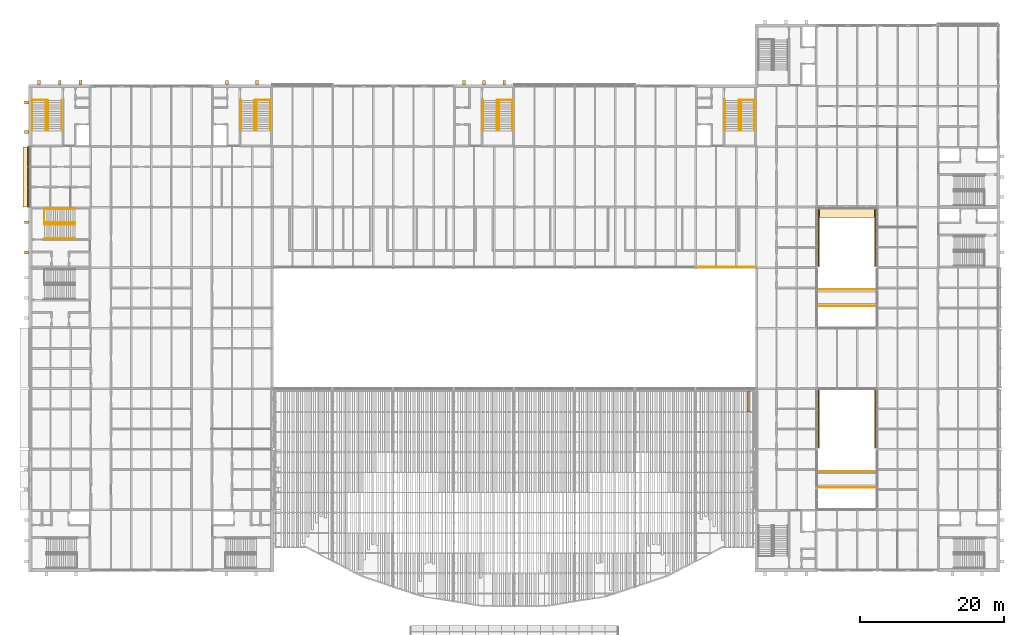
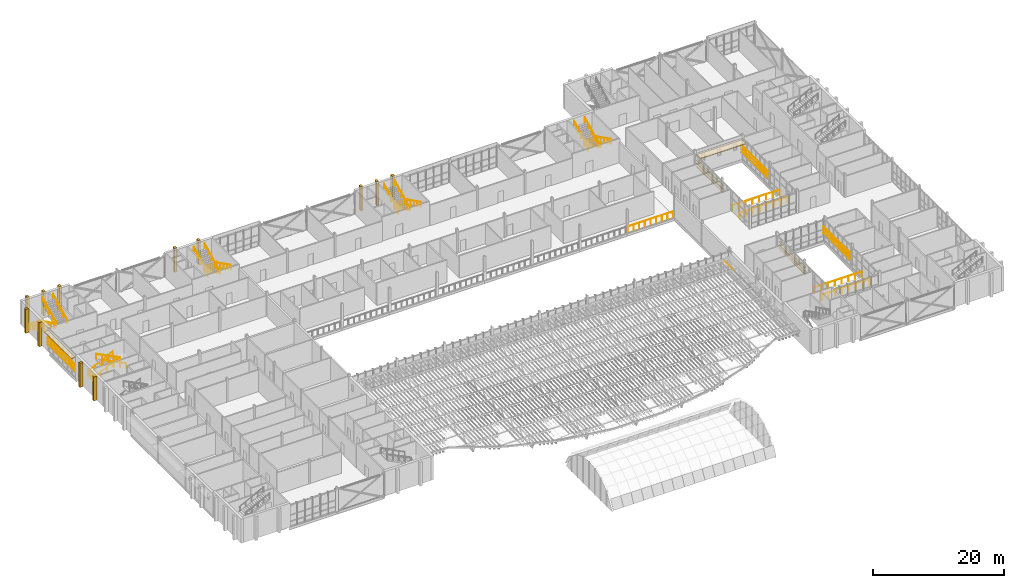
# One storey, part 126 of 129: 30 coverings, 30 railings.
"""IFC4 building model written with IfcOpenShell, lengths in metres."""

from ifc_helpers import new_model, si_unit, direction, frame, origin, origin_2d, place, context, subcontext, project, spatial, polyline, rectangle, circle, outline, extrude, material, layer, layer_set, material_profile, profile_set, type_object, element, save


model = new_model("IFC4")

# Units and contexts
model_context = context("Model", 3, precision=1e-05, world=origin(), true_north=direction((0.0, 1.0)))
body_context = subcontext(model_context, "Body", "Model", "MODEL_VIEW")
ifc_project = project(units=[si_unit("LENGTHUNIT", "METRE"), si_unit("AREAUNIT", "SQUARE_METRE"), si_unit("VOLUMEUNIT", "CUBIC_METRE"), si_unit("PLANEANGLEUNIT", "RADIAN"), si_unit("MASSUNIT", "GRAM", prefix="KILO")], contexts=[model_context])

# Site, building, storey
site_placement = place(None, origin())
site = spatial("IfcSite", under=ifc_project, at=site_placement, CompositionType="ELEMENT")
building_placement = place(site_placement, origin())
building = spatial("IfcBuilding", under=site, at=building_placement, Name="Ardhachandra Cancer Care Centre", CompositionType="ELEMENT")
storey_placement = place(building_placement, frame((0.0, 0.0, 4.5)))
storey = spatial("IfcBuildingStorey", under=building, at=storey_placement, Name="L01", CompositionType="ELEMENT", Elevation=4.5)

# Railings
ifc_material_1 = material(Name="Steel E250 (IS 2062)", Category="steel")
railing_type_1 = type_object("IfcRailingType", Name="Bridge balustrade 1100", PredefinedType="GUARDRAIL", material=ifc_material_1)
for number, where, name in (
    (1, (120.0, 40.860107421875, 0.0), "Bridge balustrade BR-LC1-L01 south"),
    (2, (120.0, 43.139892578125, 0.0), "Bridge balustrade BR-LC1-L01 north"),
    (3, (120.0, 66.06005859375, 0.0), "Bridge balustrade BR-LC2-L01 south"),
    (4, (120.0, 68.340087890625, 0.0), "Bridge balustrade BR-LC2-L01 north"),
):
    element("IfcRailing", number, at=place(storey_placement, frame(where)), inside=storey, type_object=railing_type_1, Name=name, PredefinedType="GUARDRAIL", context=body_context, shape_type="SweptSolid", body=[
        extrude(circle(Radius=0.02392578125, at=origin_2d()), frame((0.0, 0.0, 1.076171875), z_axis=(1.0, 0.0, 0.0), x_axis=(0.0, 1.0, 0.0)), (0.0, 0.0, 1.0), 8.39990234375),
        extrude(circle(Radius=0.02099609375, at=origin_2d()), origin(), (0.0, 0.0, 1.0), 1.052001953125),
        extrude(circle(Radius=0.02099609375, at=origin_2d()), frame((1.199951171875, 0.0, 0.0)), (0.0, 0.0, 1.0), 1.052001953125),
        extrude(circle(Radius=0.02099609375, at=origin_2d()), frame((2.39990234375, 0.0, 0.0)), (0.0, 0.0, 1.0), 1.052001953125),
        extrude(circle(Radius=0.02099609375, at=origin_2d()), frame((3.599853515625, 0.0, 0.0)), (0.0, 0.0, 1.0), 1.052001953125),
        extrude(circle(Radius=0.02099609375, at=origin_2d()), frame((4.800048828125, 0.0, 0.0)), (0.0, 0.0, 1.0), 1.052001953125),
        extrude(circle(Radius=0.02099609375, at=origin_2d()), frame((6.0, 0.0, 0.0)), (0.0, 0.0, 1.0), 1.052001953125),
        extrude(circle(Radius=0.02099609375, at=origin_2d()), frame((7.199951171875, 0.0, 0.0)), (0.0, 0.0, 1.0), 1.052001953125),
        extrude(circle(Radius=0.02099609375, at=origin_2d()), frame((8.39990234375, 0.0, 0.0)), (0.0, 0.0, 1.0), 1.052001953125),
    ])
ifc_material_2 = material(Name="Steel E250 (IS 2062)", Category="steel")
railing_type_2 = type_object("IfcRailingType", Name="Guard 1100", PredefinedType="GUARDRAIL", material=ifc_material_2)
railing_1_placement = place(storey_placement, frame((11.054931640625, 94.659912109375, 0.0)))
element("IfcRailing", 5, at=railing_1_placement, inside=storey, type_object=railing_type_2, Name="Stair well guard K4 L01", PredefinedType="GUARDRAIL", context=body_context, shape_type="SweptSolid", body=[
    extrude(circle(Radius=0.02392578125, at=origin_2d()), frame((0.0, 0.0, 1.076171875), z_axis=(1.0, 0.0, 0.0), x_axis=(0.0, 1.0, 0.0)), (0.0, 0.0, 1.0), 2.170166015625),
    extrude(circle(Radius=0.02099609375, at=origin_2d()), origin(), (0.0, 0.0, 1.0), 1.052001953125),
    extrude(circle(Radius=0.02099609375, at=origin_2d()), frame((0.723388671875, 0.0, 0.0)), (0.0, 0.0, 1.0), 1.052001953125),
    extrude(circle(Radius=0.02099609375, at=origin_2d()), frame((1.44677734375, 0.0, 0.0)), (0.0, 0.0, 1.0), 1.052001953125),
    extrude(circle(Radius=0.02099609375, at=origin_2d()), frame((2.170166015625, 0.0, 0.0)), (0.0, 0.0, 1.0), 1.052001953125),
])
railing_2_placement = place(storey_placement, frame((44.169921875, 94.659912109375, 0.0)))
element("IfcRailing", 6, at=railing_2_placement, inside=storey, type_object=railing_type_2, Name="Stair well guard K5 L01", PredefinedType="GUARDRAIL", context=body_context, shape_type="SweptSolid", body=[
    extrude(circle(Radius=0.02392578125, at=origin_2d()), frame((0.0, 0.0, 1.076171875), z_axis=(-1.0, 0.0, 0.0), x_axis=(0.0, -1.0, 0.0)), (0.0, 0.0, 1.0), 2.169921875),
    extrude(circle(Radius=0.02099609375, at=origin_2d()), origin(), (0.0, 0.0, 1.0), 1.052001953125),
    extrude(circle(Radius=0.02099609375, at=origin_2d()), frame((-0.723388671875, 0.0, 0.0)), (0.0, 0.0, 1.0), 1.052001953125),
    extrude(circle(Radius=0.02099609375, at=origin_2d()), frame((-1.446533203125, 0.0, 0.0)), (0.0, 0.0, 1.0), 1.052001953125),
    extrude(circle(Radius=0.02099609375, at=origin_2d()), frame((-2.169921875, 0.0, 0.0)), (0.0, 0.0, 1.0), 1.052001953125),
])
railing_3_placement = place(storey_placement, frame((12.739990234375, 79.570068359375, 0.0)))
element("IfcRailing", 7, at=railing_3_placement, inside=storey, type_object=railing_type_2, Name="Stair well guard K6 L01", PredefinedType="GUARDRAIL", context=body_context, shape_type="SweptSolid", body=[
    extrude(circle(Radius=0.02392578125, at=origin_2d()), frame((0.0, 0.0, 1.076171875), z_axis=(0.0, -1.0, 0.0), x_axis=(1.0, 0.0, 0.0)), (0.0, 0.0, 1.0), 2.170166015625),
    extrude(circle(Radius=0.02099609375, at=origin_2d()), origin(), (0.0, 0.0, 1.0), 1.052001953125),
    extrude(circle(Radius=0.02099609375, at=origin_2d()), frame((0.0, -0.723388671875, 0.0)), (0.0, 0.0, 1.0), 1.052001953125),
    extrude(circle(Radius=0.02099609375, at=origin_2d()), frame((0.0, -1.44677734375, 0.0)), (0.0, 0.0, 1.0), 1.052001953125),
    extrude(circle(Radius=0.02099609375, at=origin_2d()), frame((0.0, -2.170166015625, 0.0)), (0.0, 0.0, 1.0), 1.052001953125),
])
railing_4_placement = place(storey_placement, frame((111.3701171875, 94.659912109375, 0.0)))
element("IfcRailing", 8, at=railing_4_placement, inside=storey, type_object=railing_type_2, Name="Stair well guard K7 L01", PredefinedType="GUARDRAIL", context=body_context, shape_type="SweptSolid", body=[
    extrude(circle(Radius=0.02392578125, at=origin_2d()), frame((0.0, 0.0, 1.076171875), z_axis=(-1.0, 0.0, 0.0), x_axis=(0.0, -1.0, 0.0)), (0.0, 0.0, 1.0), 2.170166015625),
    extrude(circle(Radius=0.02099609375, at=origin_2d()), origin(), (0.0, 0.0, 1.0), 1.052001953125),
    extrude(circle(Radius=0.02099609375, at=origin_2d()), frame((-0.723388671875, 0.0, 0.0)), (0.0, 0.0, 1.0), 1.052001953125),
    extrude(circle(Radius=0.02099609375, at=origin_2d()), frame((-1.44677734375, 0.0, 0.0)), (0.0, 0.0, 1.0), 1.052001953125),
    extrude(circle(Radius=0.02099609375, at=origin_2d()), frame((-2.170166015625, 0.0, 0.0)), (0.0, 0.0, 1.0), 1.052001953125),
])
railing_5_placement = place(storey_placement, frame((77.77001953125, 94.659912109375, 0.0)))
element("IfcRailing", 9, at=railing_5_placement, inside=storey, type_object=railing_type_2, Name="Stair well guard K8 L01", PredefinedType="GUARDRAIL", context=body_context, shape_type="SweptSolid", body=[
    extrude(circle(Radius=0.02392578125, at=origin_2d()), frame((0.0, 0.0, 1.076171875), z_axis=(-1.0, 0.0, 0.0), x_axis=(0.0, -1.0, 0.0)), (0.0, 0.0, 1.0), 2.169921875),
    extrude(circle(Radius=0.02099609375, at=origin_2d()), origin(), (0.0, 0.0, 1.0), 1.052001953125),
    extrude(circle(Radius=0.02099609375, at=origin_2d()), frame((-0.723388671875, 0.0, 0.0)), (0.0, 0.0, 1.0), 1.052001953125),
    extrude(circle(Radius=0.02099609375, at=origin_2d()), frame((-1.446533203125, 0.0, 0.0)), (0.0, 0.0, 1.0), 1.052001953125),
    extrude(circle(Radius=0.02099609375, at=origin_2d()), frame((-2.169921875, 0.0, 0.0)), (0.0, 0.0, 1.0), 1.052001953125),
])
railing_6_placement = place(storey_placement, frame((103.39990234375, 71.47998046875, 0.0)))
element("IfcRailing", 10, at=railing_6_placement, inside=storey, type_object=railing_type_2, Name="Gallery guard 8", PredefinedType="GUARDRAIL", context=body_context, shape_type="SweptSolid", body=[
    extrude(circle(Radius=0.02392578125, at=origin_2d()), frame((0.0, 0.0, 1.076171875), z_axis=(1.0, 0.0, 0.0), x_axis=(0.0, 1.0, 0.0)), (0.0, 0.0, 1.0), 8.0),
    extrude(circle(Radius=0.02099609375, at=origin_2d()), origin(), (0.0, 0.0, 1.0), 1.052001953125),
    extrude(circle(Radius=0.02099609375, at=origin_2d()), frame((1.0, 0.0, 0.0)), (0.0, 0.0, 1.0), 1.052001953125),
    extrude(circle(Radius=0.02099609375, at=origin_2d()), frame((2.0, 0.0, 0.0)), (0.0, 0.0, 1.0), 1.052001953125),
    extrude(circle(Radius=0.02099609375, at=origin_2d()), frame((3.0, 0.0, 0.0)), (0.0, 0.0, 1.0), 1.052001953125),
    extrude(circle(Radius=0.02099609375, at=origin_2d()), frame((4.0, 0.0, 0.0)), (0.0, 0.0, 1.0), 1.052001953125),
    extrude(circle(Radius=0.02099609375, at=origin_2d()), frame((5.0, 0.0, 0.0)), (0.0, 0.0, 1.0), 1.052001953125),
    extrude(circle(Radius=0.02099609375, at=origin_2d()), frame((6.0, 0.0, 0.0)), (0.0, 0.0, 1.0), 1.052001953125),
    extrude(circle(Radius=0.02099609375, at=origin_2d()), frame((7.0, 0.0, 0.0)), (0.0, 0.0, 1.0), 1.052001953125),
    extrude(circle(Radius=0.02099609375, at=origin_2d()), frame((8.0, 0.0, 0.0)), (0.0, 0.0, 1.0), 1.052001953125),
])

# Coverings
ifc_material_3 = material(Name="Anodised aluminium extrusion", Category="aluminium")
ifc_material_profile_1 = material_profile(ifc_material_3, rectangle(XDim=0.199951171875, YDim=0.02001953125, at=origin_2d()), Name="Louvre blade 200 x 20")
ifc_profile_set_1 = profile_set([ifc_material_profile_1], Name="Anodised aluminium extrusion")
covering_type_1 = type_object("IfcCoveringType", Name="Louvre blade 200 x 20", PredefinedType="CLADDING", material=ifc_profile_set_1)
for number, where, z_axis, x_axis, name in (
    (11, (120.2548828125, 46.3798828125, 1.5), (0.0, 1.0, 0.0), (-0.819152044289, 0.0, -0.573576436351), "Louvre blade over curtain wall L01/e/0120000_0046200 1"),
    (12, (120.2548828125, 46.3798828125, 2.10009765625), (0.0, 1.0, 0.0), (-0.819152044289, 0.0, -0.573576436351), "Louvre blade over curtain wall L01/e/0120000_0046200 2"),
    (13, (120.2548828125, 46.3798828125, 2.699951171875), (0.0, 1.0, 0.0), (-0.819152044289, 0.0, -0.573576436351), "Louvre blade over curtain wall L01/e/0120000_0046200 3"),
):
    element("IfcCovering", number, at=place(storey_placement, frame(where, z_axis=z_axis, x_axis=x_axis)), inside=storey, type_object=covering_type_1, Name=name, PredefinedType="CLADDING", context=body_context, shape_type="SweptSolid", body=[
        extrude(rectangle(XDim=0.199951171875, YDim=0.02001953125, at=origin_2d()), origin(), (0.0, 0.0, 1.0), 8.0400390625),
    ])
for number, where, z_axis, x_axis, name in (
    (14, (120.2548828125, 71.580078125, 1.5), (0.0, 1.0, 0.0), (-0.819152044289, 0.0, -0.573576436351), "Louvre blade over curtain wall L01/e/0120000_0071400 1"),
    (15, (120.2548828125, 71.580078125, 2.10009765625), (0.0, 1.0, 0.0), (-0.819152044289, 0.0, -0.573576436351), "Louvre blade over curtain wall L01/e/0120000_0071400 2"),
    (16, (120.2548828125, 71.580078125, 2.699951171875), (0.0, 1.0, 0.0), (-0.819152044289, 0.0, -0.573576436351), "Louvre blade over curtain wall L01/e/0120000_0071400 3"),
):
    element("IfcCovering", number, at=place(storey_placement, frame(where, z_axis=z_axis, x_axis=x_axis)), inside=storey, type_object=covering_type_1, Name=name, PredefinedType="CLADDING", context=body_context, shape_type="SweptSolid", body=[
        extrude(rectangle(XDim=0.199951171875, YDim=0.02001953125, at=origin_2d()), origin(), (0.0, 0.0, 1.0), 8.0),
    ])
for number, where, z_axis, x_axis, name in (
    (17, (128.14501953125, 46.3798828125, 1.5), (0.0, 1.0, 0.0), (-0.819152044289, 0.0, 0.573576436351), "Louvre blade over curtain wall L01/w/0128400_0046200 1"),
    (18, (128.14501953125, 46.3798828125, 2.10009765625), (0.0, 1.0, 0.0), (-0.819152044289, 0.0, 0.573576436351), "Louvre blade over curtain wall L01/w/0128400_0046200 2"),
    (19, (128.14501953125, 46.3798828125, 2.699951171875), (0.0, 1.0, 0.0), (-0.819152044289, 0.0, 0.573576436351), "Louvre blade over curtain wall L01/w/0128400_0046200 3"),
):
    element("IfcCovering", number, at=place(storey_placement, frame(where, z_axis=z_axis, x_axis=x_axis)), inside=storey, type_object=covering_type_1, Name=name, PredefinedType="CLADDING", context=body_context, shape_type="SweptSolid", body=[
        extrude(rectangle(XDim=0.199951171875, YDim=0.02001953125, at=origin_2d()), origin(), (0.0, 0.0, 1.0), 8.0400390625),
    ])
for number, where, z_axis, x_axis, name in (
    (20, (128.14501953125, 71.580078125, 1.5), (0.0, 1.0, 0.0), (-0.819152044289, 0.0, 0.573576436351), "Louvre blade over curtain wall L01/w/0128400_0071400 1"),
    (21, (128.14501953125, 71.580078125, 2.10009765625), (0.0, 1.0, 0.0), (-0.819152044289, 0.0, 0.573576436351), "Louvre blade over curtain wall L01/w/0128400_0071400 2"),
    (22, (128.14501953125, 71.580078125, 2.699951171875), (0.0, 1.0, 0.0), (-0.819152044289, 0.0, 0.573576436351), "Louvre blade over curtain wall L01/w/0128400_0071400 3"),
):
    element("IfcCovering", number, at=place(storey_placement, frame(where, z_axis=z_axis, x_axis=x_axis)), inside=storey, type_object=covering_type_1, Name=name, PredefinedType="CLADDING", context=body_context, shape_type="SweptSolid", body=[
        extrude(rectangle(XDim=0.199951171875, YDim=0.02001953125, at=origin_2d()), origin(), (0.0, 0.0, 1.0), 8.0),
    ])
for number, where, z_axis, x_axis, name in (
    (23, (10.544921875, 79.830078125, 1.5), (0.0, 1.0, 0.0), (-0.819152044289, 0.0, 0.573576436351), "Louvre blade over curtain wall L01/w/0010800_0079800 1"),
    (24, (10.544921875, 79.830078125, 2.10009765625), (0.0, 1.0, 0.0), (-0.819152044289, 0.0, 0.573576436351), "Louvre blade over curtain wall L01/w/0010800_0079800 2"),
    (25, (10.544921875, 79.830078125, 2.699951171875), (0.0, 1.0, 0.0), (-0.819152044289, 0.0, 0.573576436351), "Louvre blade over curtain wall L01/w/0010800_0079800 3"),
):
    element("IfcCovering", number, at=place(storey_placement, frame(where, z_axis=z_axis, x_axis=x_axis)), inside=storey, type_object=covering_type_1, Name=name, PredefinedType="CLADDING", context=body_context, shape_type="SweptSolid", body=[
        extrude(rectangle(XDim=0.199951171875, YDim=0.02001953125, at=origin_2d()), origin(), (0.0, 0.0, 1.0), 8.33984375),
    ])
ifc_material_4 = material(Name="Anodised aluminium", Category="aluminium")
ifc_material_profile_2 = material_profile(ifc_material_4, outline(polyline([(-0.01220703125, 0.0), (0.01220703125, 0.0), (0.327392578125, -0.449951171875), (0.302978515625, -0.449951171875), (-0.01220703125, 0.0)])), Name="Louvre fin 450")
ifc_profile_set_2 = profile_set([ifc_material_profile_2], Name="Anodised aluminium")
covering_type_2 = type_object("IfcCoveringType", Name="Louvre fin 450", PredefinedType="CLADDING", material=ifc_profile_set_2)
covering_1_placement = place(storey_placement, frame((110.39990234375, 54.175048828125, 2.743408203125), z_axis=(0.0, -0.999800721691, -0.019962888244), x_axis=(1.0, 0.0, 0.0)))
element("IfcCovering", 26, at=covering_1_placement, inside=storey, type_object=covering_type_2, Name="Louvre fin 110-1", PredefinedType="CLADDING", context=body_context, shape_type="SweptSolid", body=[
    extrude(outline(polyline([(-0.01220703125, 0.0), (0.01220703125, 0.0), (0.327392578125, -0.449951171875), (0.302978515625, -0.449951171875), (-0.01220703125, 0.0)])), origin(), (0.0, 0.0, 1.0), 2.800537109375),
])
ifc_material_5 = material(Name="Precast Concrete M25", Category="concrete")
ifc_layer_1 = layer(ifc_material_5, 0.1201171875)
ifc_layer_set_1 = layer_set([ifc_layer_1], Name="Precast Concrete M25")
covering_type_3 = type_object("IfcCoveringType", Name="Precast chajja 750 x 120", PredefinedType="USERDEFINED", material=ifc_layer_set_1)
covering_2_placement = place(storey_placement, frame((10.199951171875, 84.0, 3.949951171875), z_axis=(0.0, 0.0, 1.0), x_axis=(0.0, 1.0, 0.0)))
element("IfcCovering", 27, at=covering_2_placement, inside=storey, type_object=covering_type_3, Name="Chajja over curtain wall L01/w/0010800_0079800", ObjectType="CHAJJA", PredefinedType="USERDEFINED", context=body_context, shape_type="SweptSolid", body=[
    extrude(rectangle(XDim=8.300048828125, YDim=0.75, at=origin_2d()), origin(), (0.0, 0.0, 1.0), 0.1201171875),
])
ifc_material_6 = material(Name="Precast Concrete M25", Category="concrete")
ifc_layer_2 = layer(ifc_material_6, 0.39990234375)
ifc_layer_set_2 = layer_set([ifc_layer_2], Name="Precast Concrete M25")
covering_type_4 = type_object("IfcCoveringType", Name="Precast concrete fin 400 x 550", PredefinedType="CLADDING", material=ifc_layer_set_2)
for number, where, z_axis, x_axis, name in (
    (28, (12.012451171875, 97.10009765625, 0.0), (0.0, 0.0, 1.0), (1.0, 0.0, 0.0), "Fin L01 core K4 1"),
    (29, (14.887451171875, 97.10009765625, 0.0), (0.0, 0.0, 1.0), (1.0, 0.0, 0.0), "Fin L01 core K4 2"),
    (30, (17.762451171875, 97.10009765625, 0.0), (0.0, 0.0, 1.0), (1.0, 0.0, 0.0), "Fin L01 core K4 3"),
    (31, (10.300048828125, 90.24365234375, 0.0), (0.0, 0.0, 1.0), (0.0, 1.0, 0.0), "Fin L01 core K4 1"),
    (32, (10.300048828125, 94.331298828125, 0.0), (0.0, 0.0, 1.0), (0.0, 1.0, 0.0), "Fin L01 core K4 2"),
    (33, (38.10009765625, 97.10009765625, 0.0), (0.0, 0.0, 1.0), (1.0, 0.0, 0.0), "Fin L01 core K5 1"),
    (34, (42.300048828125, 97.10009765625, 0.0), (0.0, 0.0, 1.0), (1.0, 0.0, 0.0), "Fin L01 core K5 2"),
    (35, (10.300048828125, 73.5, 0.0), (0.0, 0.0, 1.0), (0.0, 1.0, 0.0), "Fin L01 core K6 1"),
    (36, (10.300048828125, 77.699951171875, 0.0), (0.0, 0.0, 1.0), (0.0, 1.0, 0.0), "Fin L01 core K6 2"),
    (37, (71.0, 97.10009765625, 0.0), (0.0, 0.0, 1.0), (1.0, 0.0, 0.0), "Fin L01 core K8 1"),
    (38, (73.800048828125, 97.10009765625, 0.0), (0.0, 0.0, 1.0), (1.0, 0.0, 0.0), "Fin L01 core K8 2"),
    (39, (76.60009765625, 97.10009765625, 0.0), (0.0, 0.0, 1.0), (1.0, 0.0, 0.0), "Fin L01 core K8 3"),
):
    element("IfcCovering", number, at=place(storey_placement, frame(where, z_axis=z_axis, x_axis=x_axis)), inside=storey, type_object=covering_type_4, Name=name, PredefinedType="CLADDING", context=body_context, shape_type="SweptSolid", body=[
        extrude(rectangle(XDim=0.39990234375, YDim=0.550048828125, at=origin_2d()), origin(), (0.0, 0.0, 1.0), 4.5),
    ])
ifc_material_7 = material(Name="Precast Concrete M25", Category="concrete")
ifc_layer_3 = layer(ifc_material_7, 0.14990234375)
ifc_layer_set_3 = layer_set([ifc_layer_3], Name="Precast Concrete M25")
covering_type_5 = type_object("IfcCoveringType", Name="Precast sunshade band 1200 x 150", PredefinedType="CLADDING", material=ifc_layer_set_3)
covering_3_placement = place(storey_placement, frame((124.199951171875, 78.97509765625, 3.550048828125), z_axis=(0.0, 0.0, 1.0), x_axis=(1.0, 0.0, 0.0)))
element("IfcCovering", 40, at=covering_3_placement, inside=storey, type_object=covering_type_5, Name="Sunshade band L01 L01/s/0120000_0079800 1", PredefinedType="CLADDING", context=body_context, shape_type="SweptSolid", body=[
    extrude(rectangle(XDim=8.0048828125, YDim=1.199951171875, at=origin_2d()), origin(), (0.0, 0.0, 1.0), 0.14990234375),
])

# Railings
ifc_material_8 = material(Name="Steel E250 (IS 2062)", Category="steel")
railing_type_3 = type_object("IfcRailingType", Name="Stair handrail 900", PredefinedType="HANDRAIL", material=ifc_material_8)
for number, where, name in (
    (41, (11.0849609375, 94.60009765625, 0.14990234375), "Handrail K4 L01-L02 flight 1 wall side"),
    (42, (12.97509765625, 94.60009765625, 0.14990234375), "Handrail K4 L01-L02 flight 1 well side"),
):
    element("IfcRailing", number, at=place(storey_placement, frame(where)), inside=storey, type_object=railing_type_3, Name=name, PredefinedType="HANDRAIL", context=body_context, shape_type="SweptSolid", body=[
        extrude(circle(Radius=0.02392578125, at=origin_2d()), frame((0.0, 0.0, 0.8759765625), z_axis=(0.0, -0.894427191, 0.4472135955), x_axis=(1.0, 0.0, 0.0)), (0.0, 0.0, 1.0), 4.696044921875),
        extrude(circle(Radius=0.02099609375, at=origin_2d()), origin(), (0.0, 0.0, 1.0), 0.851806640625),
        extrude(circle(Radius=0.02099609375, at=origin_2d()), frame((0.0, -1.050048828125, 0.52490234375)), (0.0, 0.0, 1.0), 0.851806640625),
        extrude(circle(Radius=0.02099609375, at=origin_2d()), frame((0.0, -2.10009765625, 1.050048828125)), (0.0, 0.0, 1.0), 0.851806640625),
        extrude(circle(Radius=0.02099609375, at=origin_2d()), frame((0.0, -3.150146484375, 1.5751953125)), (0.0, 0.0, 1.0), 0.851806640625),
        extrude(circle(Radius=0.02099609375, at=origin_2d()), frame((0.0, -4.2001953125, 2.10009765625)), (0.0, 0.0, 1.0), 0.851806640625),
    ])
for number, where, name in (
    (43, (13.27490234375, 90.39990234375, 2.39990234375), "Handrail K4 L01-L02 flight 2 well side"),
    (44, (15.1650390625, 90.39990234375, 2.39990234375), "Handrail K4 L01-L02 flight 2 wall side"),
):
    element("IfcRailing", number, at=place(storey_placement, frame(where)), inside=storey, type_object=railing_type_3, Name=name, PredefinedType="HANDRAIL", context=body_context, shape_type="SweptSolid", body=[
        extrude(circle(Radius=0.02392578125, at=origin_2d()), frame((0.0, 0.0, 0.8759765625), z_axis=(0.0, 0.894427191, 0.4472135955), x_axis=(-1.0, 0.0, 0.0)), (0.0, 0.0, 1.0), 4.696044921875),
        extrude(circle(Radius=0.02099609375, at=origin_2d()), origin(), (0.0, 0.0, 1.0), 0.851806640625),
        extrude(circle(Radius=0.02099609375, at=origin_2d()), frame((0.0, 1.050048828125, 0.52490234375)), (0.0, 0.0, 1.0), 0.851806640625),
        extrude(circle(Radius=0.02099609375, at=origin_2d()), frame((0.0, 2.10009765625, 1.050048828125)), (0.0, 0.0, 1.0), 0.851806640625),
        extrude(circle(Radius=0.02099609375, at=origin_2d()), frame((0.0, 3.150146484375, 1.5751953125)), (0.0, 0.0, 1.0), 0.851806640625),
        extrude(circle(Radius=0.02099609375, at=origin_2d()), frame((0.0, 4.2001953125, 2.10009765625)), (0.0, 0.0, 1.0), 0.851806640625),
    ])
for number, where, name in (
    (45, (44.139892578125, 94.60009765625, 0.14990234375), "Handrail K5 L01-L02 flight 1 wall side"),
    (46, (42.25, 94.60009765625, 0.14990234375), "Handrail K5 L01-L02 flight 1 well side"),
):
    element("IfcRailing", number, at=place(storey_placement, frame(where)), inside=storey, type_object=railing_type_3, Name=name, PredefinedType="HANDRAIL", context=body_context, shape_type="SweptSolid", body=[
        extrude(circle(Radius=0.02392578125, at=origin_2d()), frame((0.0, 0.0, 0.8759765625), z_axis=(0.0, -0.894427191, 0.4472135955), x_axis=(1.0, 0.0, 0.0)), (0.0, 0.0, 1.0), 4.696044921875),
        extrude(circle(Radius=0.02099609375, at=origin_2d()), origin(), (0.0, 0.0, 1.0), 0.851806640625),
        extrude(circle(Radius=0.02099609375, at=origin_2d()), frame((0.0, -1.050048828125, 0.52490234375)), (0.0, 0.0, 1.0), 0.851806640625),
        extrude(circle(Radius=0.02099609375, at=origin_2d()), frame((0.0, -2.10009765625, 1.050048828125)), (0.0, 0.0, 1.0), 0.851806640625),
        extrude(circle(Radius=0.02099609375, at=origin_2d()), frame((0.0, -3.150146484375, 1.5751953125)), (0.0, 0.0, 1.0), 0.851806640625),
        extrude(circle(Radius=0.02099609375, at=origin_2d()), frame((0.0, -4.2001953125, 2.10009765625)), (0.0, 0.0, 1.0), 0.851806640625),
    ])
for number, where, name in (
    (47, (41.949951171875, 90.39990234375, 2.39990234375), "Handrail K5 L01-L02 flight 2 well side"),
    (48, (40.06005859375, 90.39990234375, 2.39990234375), "Handrail K5 L01-L02 flight 2 wall side"),
):
    element("IfcRailing", number, at=place(storey_placement, frame(where)), inside=storey, type_object=railing_type_3, Name=name, PredefinedType="HANDRAIL", context=body_context, shape_type="SweptSolid", body=[
        extrude(circle(Radius=0.02392578125, at=origin_2d()), frame((0.0, 0.0, 0.8759765625), z_axis=(0.0, 0.894427191, 0.4472135955), x_axis=(-1.0, 0.0, 0.0)), (0.0, 0.0, 1.0), 4.696044921875),
        extrude(circle(Radius=0.02099609375, at=origin_2d()), origin(), (0.0, 0.0, 1.0), 0.851806640625),
        extrude(circle(Radius=0.02099609375, at=origin_2d()), frame((0.0, 1.050048828125, 0.52490234375)), (0.0, 0.0, 1.0), 0.851806640625),
        extrude(circle(Radius=0.02099609375, at=origin_2d()), frame((0.0, 2.10009765625, 1.050048828125)), (0.0, 0.0, 1.0), 0.851806640625),
        extrude(circle(Radius=0.02099609375, at=origin_2d()), frame((0.0, 3.150146484375, 1.5751953125)), (0.0, 0.0, 1.0), 0.851806640625),
        extrude(circle(Radius=0.02099609375, at=origin_2d()), frame((0.0, 4.2001953125, 2.10009765625)), (0.0, 0.0, 1.0), 0.851806640625),
    ])
for number, where, name in (
    (49, (12.800048828125, 79.5400390625, 0.14990234375), "Handrail K6 L01-L02 flight 1 wall side"),
    (50, (12.800048828125, 77.64990234375, 0.14990234375), "Handrail K6 L01-L02 flight 1 well side"),
):
    element("IfcRailing", number, at=place(storey_placement, frame(where)), inside=storey, type_object=railing_type_3, Name=name, PredefinedType="HANDRAIL", context=body_context, shape_type="SweptSolid", body=[
        extrude(circle(Radius=0.02392578125, at=origin_2d()), frame((0.0, 0.0, 0.8759765625), z_axis=(0.894416792377, 0.0, 0.447234392142), x_axis=(0.0, 1.0, 0.0)), (0.0, 0.0, 1.0), 4.69580078125),
        extrude(circle(Radius=0.02099609375, at=origin_2d()), origin(), (0.0, 0.0, 1.0), 0.851806640625),
        extrude(circle(Radius=0.02099609375, at=origin_2d()), frame((1.050048828125, 0.0, 0.52490234375)), (0.0, 0.0, 1.0), 0.851806640625),
        extrude(circle(Radius=0.02099609375, at=origin_2d()), frame((2.10009765625, 0.0, 1.050048828125)), (0.0, 0.0, 1.0), 0.851806640625),
        extrude(circle(Radius=0.02099609375, at=origin_2d()), frame((3.14990234375, 0.0, 1.5751953125)), (0.0, 0.0, 1.0), 0.851806640625),
        extrude(circle(Radius=0.02099609375, at=origin_2d()), frame((4.199951171875, 0.0, 2.10009765625)), (0.0, 0.0, 1.0), 0.851806640625),
    ])
for number, where, name in (
    (51, (17.0, 77.35009765625, 2.39990234375), "Handrail K6 L01-L02 flight 2 well side"),
    (52, (17.0, 75.4599609375, 2.39990234375), "Handrail K6 L01-L02 flight 2 wall side"),
):
    element("IfcRailing", number, at=place(storey_placement, frame(where)), inside=storey, type_object=railing_type_3, Name=name, PredefinedType="HANDRAIL", context=body_context, shape_type="SweptSolid", body=[
        extrude(circle(Radius=0.02392578125, at=origin_2d()), frame((0.0, 0.0, 0.8759765625), z_axis=(-0.894416792377, 0.0, 0.447234392142), x_axis=(0.0, -1.0, 0.0)), (0.0, 0.0, 1.0), 4.69580078125),
        extrude(circle(Radius=0.02099609375, at=origin_2d()), origin(), (0.0, 0.0, 1.0), 0.851806640625),
        extrude(circle(Radius=0.02099609375, at=origin_2d()), frame((-1.050048828125, 0.0, 0.52490234375)), (0.0, 0.0, 1.0), 0.851806640625),
        extrude(circle(Radius=0.02099609375, at=origin_2d()), frame((-2.10009765625, 0.0, 1.050048828125)), (0.0, 0.0, 1.0), 0.851806640625),
        extrude(circle(Radius=0.02099609375, at=origin_2d()), frame((-3.14990234375, 0.0, 1.5751953125)), (0.0, 0.0, 1.0), 0.851806640625),
        extrude(circle(Radius=0.02099609375, at=origin_2d()), frame((-4.199951171875, 0.0, 2.10009765625)), (0.0, 0.0, 1.0), 0.851806640625),
    ])
for number, where, name in (
    (53, (111.340087890625, 94.60009765625, 0.14990234375), "Handrail K7 L01-L02 flight 1 wall side"),
    (54, (109.449951171875, 94.60009765625, 0.14990234375), "Handrail K7 L01-L02 flight 1 well side"),
):
    element("IfcRailing", number, at=place(storey_placement, frame(where)), inside=storey, type_object=railing_type_3, Name=name, PredefinedType="HANDRAIL", context=body_context, shape_type="SweptSolid", body=[
        extrude(circle(Radius=0.02392578125, at=origin_2d()), frame((0.0, 0.0, 0.8759765625), z_axis=(0.0, -0.894427191, 0.4472135955), x_axis=(1.0, 0.0, 0.0)), (0.0, 0.0, 1.0), 4.696044921875),
        extrude(circle(Radius=0.02099609375, at=origin_2d()), origin(), (0.0, 0.0, 1.0), 0.851806640625),
        extrude(circle(Radius=0.02099609375, at=origin_2d()), frame((0.0, -1.050048828125, 0.52490234375)), (0.0, 0.0, 1.0), 0.851806640625),
        extrude(circle(Radius=0.02099609375, at=origin_2d()), frame((0.0, -2.10009765625, 1.050048828125)), (0.0, 0.0, 1.0), 0.851806640625),
        extrude(circle(Radius=0.02099609375, at=origin_2d()), frame((0.0, -3.150146484375, 1.5751953125)), (0.0, 0.0, 1.0), 0.851806640625),
        extrude(circle(Radius=0.02099609375, at=origin_2d()), frame((0.0, -4.2001953125, 2.10009765625)), (0.0, 0.0, 1.0), 0.851806640625),
    ])
for number, where, name in (
    (55, (109.14990234375, 90.39990234375, 2.39990234375), "Handrail K7 L01-L02 flight 2 well side"),
    (56, (107.260009765625, 90.39990234375, 2.39990234375), "Handrail K7 L01-L02 flight 2 wall side"),
):
    element("IfcRailing", number, at=place(storey_placement, frame(where)), inside=storey, type_object=railing_type_3, Name=name, PredefinedType="HANDRAIL", context=body_context, shape_type="SweptSolid", body=[
        extrude(circle(Radius=0.02392578125, at=origin_2d()), frame((0.0, 0.0, 0.8759765625), z_axis=(0.0, 0.894427191, 0.4472135955), x_axis=(-1.0, 0.0, 0.0)), (0.0, 0.0, 1.0), 4.696044921875),
        extrude(circle(Radius=0.02099609375, at=origin_2d()), origin(), (0.0, 0.0, 1.0), 0.851806640625),
        extrude(circle(Radius=0.02099609375, at=origin_2d()), frame((0.0, 1.050048828125, 0.52490234375)), (0.0, 0.0, 1.0), 0.851806640625),
        extrude(circle(Radius=0.02099609375, at=origin_2d()), frame((0.0, 2.10009765625, 1.050048828125)), (0.0, 0.0, 1.0), 0.851806640625),
        extrude(circle(Radius=0.02099609375, at=origin_2d()), frame((0.0, 3.150146484375, 1.5751953125)), (0.0, 0.0, 1.0), 0.851806640625),
        extrude(circle(Radius=0.02099609375, at=origin_2d()), frame((0.0, 4.2001953125, 2.10009765625)), (0.0, 0.0, 1.0), 0.851806640625),
    ])
for number, where, name in (
    (57, (77.739990234375, 94.60009765625, 0.14990234375), "Handrail K8 L01-L02 flight 1 wall side"),
    (58, (75.85009765625, 94.60009765625, 0.14990234375), "Handrail K8 L01-L02 flight 1 well side"),
):
    element("IfcRailing", number, at=place(storey_placement, frame(where)), inside=storey, type_object=railing_type_3, Name=name, PredefinedType="HANDRAIL", context=body_context, shape_type="SweptSolid", body=[
        extrude(circle(Radius=0.02392578125, at=origin_2d()), frame((0.0, 0.0, 0.8759765625), z_axis=(0.0, -0.894427191, 0.4472135955), x_axis=(1.0, 0.0, 0.0)), (0.0, 0.0, 1.0), 4.696044921875),
        extrude(circle(Radius=0.02099609375, at=origin_2d()), origin(), (0.0, 0.0, 1.0), 0.851806640625),
        extrude(circle(Radius=0.02099609375, at=origin_2d()), frame((0.0, -1.050048828125, 0.52490234375)), (0.0, 0.0, 1.0), 0.851806640625),
        extrude(circle(Radius=0.02099609375, at=origin_2d()), frame((0.0, -2.10009765625, 1.050048828125)), (0.0, 0.0, 1.0), 0.851806640625),
        extrude(circle(Radius=0.02099609375, at=origin_2d()), frame((0.0, -3.150146484375, 1.5751953125)), (0.0, 0.0, 1.0), 0.851806640625),
        extrude(circle(Radius=0.02099609375, at=origin_2d()), frame((0.0, -4.2001953125, 2.10009765625)), (0.0, 0.0, 1.0), 0.851806640625),
    ])
for number, where, name in (
    (59, (75.550048828125, 90.39990234375, 2.39990234375), "Handrail K8 L01-L02 flight 2 well side"),
    (60, (73.659912109375, 90.39990234375, 2.39990234375), "Handrail K8 L01-L02 flight 2 wall side"),
):
    element("IfcRailing", number, at=place(storey_placement, frame(where)), inside=storey, type_object=railing_type_3, Name=name, PredefinedType="HANDRAIL", context=body_context, shape_type="SweptSolid", body=[
        extrude(circle(Radius=0.02392578125, at=origin_2d()), frame((0.0, 0.0, 0.8759765625), z_axis=(0.0, 0.894427191, 0.4472135955), x_axis=(-1.0, 0.0, 0.0)), (0.0, 0.0, 1.0), 4.696044921875),
        extrude(circle(Radius=0.02099609375, at=origin_2d()), origin(), (0.0, 0.0, 1.0), 0.851806640625),
        extrude(circle(Radius=0.02099609375, at=origin_2d()), frame((0.0, 1.050048828125, 0.52490234375)), (0.0, 0.0, 1.0), 0.851806640625),
        extrude(circle(Radius=0.02099609375, at=origin_2d()), frame((0.0, 2.10009765625, 1.050048828125)), (0.0, 0.0, 1.0), 0.851806640625),
        extrude(circle(Radius=0.02099609375, at=origin_2d()), frame((0.0, 3.150146484375, 1.5751953125)), (0.0, 0.0, 1.0), 0.851806640625),
        extrude(circle(Radius=0.02099609375, at=origin_2d()), frame((0.0, 4.2001953125, 2.10009765625)), (0.0, 0.0, 1.0), 0.851806640625),
    ])

save(model, "model.ifc")
